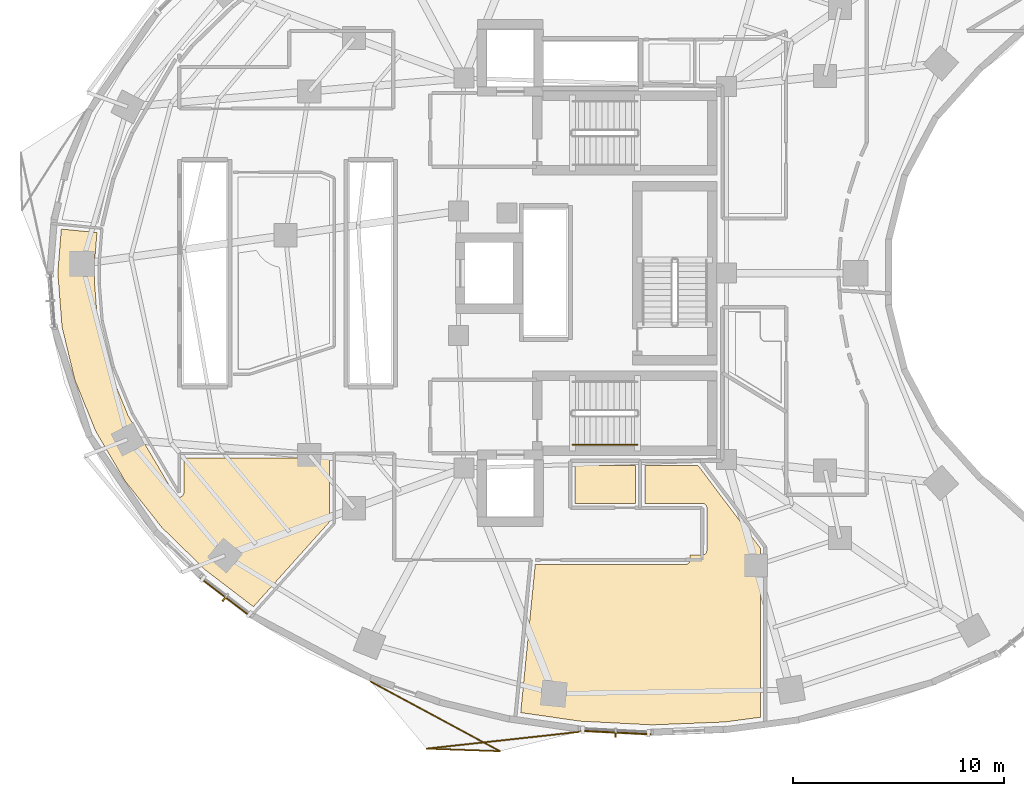
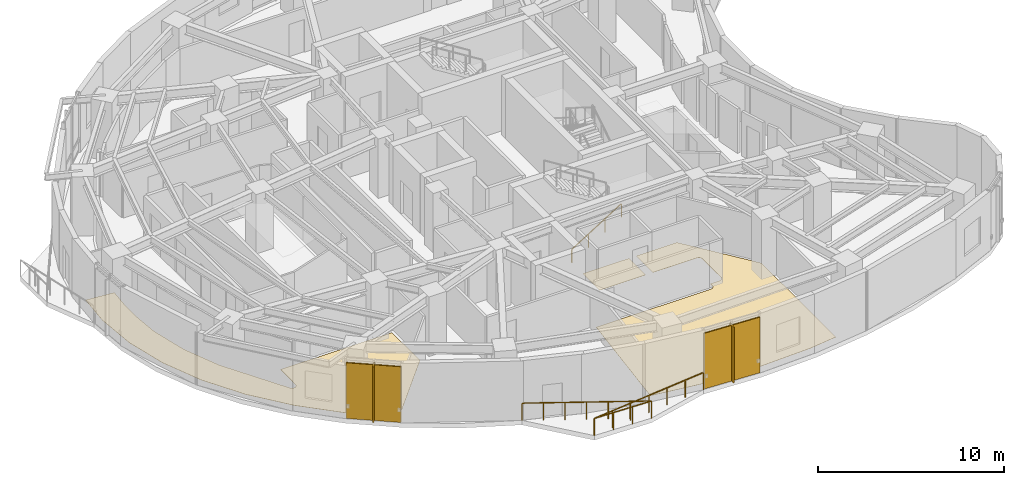
# One storey, part 13 of 15: 4 shading devices, 3 coverings, 2 railings.
"""IFC4 building model written with IfcOpenShell, lengths in metres."""

import ifcopenshell
import ifcopenshell.guid

model = None  # the IFC model being written
_history = None  # IfcOwnerHistory: only IFC2X3 demands one
_inside = {}  # id of a spatial element -> (the spatial element, [elements in it])
_under = {}  # id of a project, library or spatial element -> (it, [spatial elements below it])
_declared = {}  # id of a project -> (the project, [libraries it declares])
_typed = {}  # id of a type object -> (the type object, [elements of that type])
_made_of = {}  # id of a material, layer set ... -> (it, [elements and type objects made of it])


def new_model(schema):
    """Start an empty IFC model of exactly this schema.

    Asked for "IFC4X3", IfcOpenShell would pick the latest addendum, in which some entities
    have other attributes; the version numbers below select the first issue.
    IFC2X3 requires an IfcOwnerHistory on every rooted entity: one is made here for all.
    """
    global model, _history
    if schema == "IFC4X3":
        model = ifcopenshell.file(schema_version=(4, 3, 0, 0))
    else:
        model = ifcopenshell.file(schema=schema)
    _inside.clear()
    _under.clear()
    _declared.clear()
    _typed.clear()
    _made_of.clear()
    _history = None
    if model.schema == "IFC2X3":
        org = make("IfcOrganization", Name="unknown")
        user = make(
            "IfcPersonAndOrganization",
            ThePerson=make("IfcPerson", FamilyName="unknown"),
            TheOrganization=org,
        )
        app = make(
            "IfcApplication",
            ApplicationDeveloper=org,
            Version="unknown",
            ApplicationFullName="unknown",
            ApplicationIdentifier="unknown",
        )
        _history = make(
            "IfcOwnerHistory",
            OwningUser=user,
            OwningApplication=app,
            ChangeAction="ADDED",
            CreationDate=0,
        )
    return model


def make(cls, **values):
    """One entity of the class cls with the attributes given. An attribute that is None is left unset."""
    return model.create_entity(
        cls, **{name: value for name, value in values.items() if value is not None}
    )


def rooted(cls, **values):
    """An entity with a GlobalId (a new one), such as an element, a storey or a relation."""
    return make(cls, GlobalId=ifcopenshell.guid.new(), OwnerHistory=_history, **values)


def si_unit(unit_type, name, prefix=None):
    """IfcSIUnit, for example si_unit("LENGTHUNIT", "METRE", prefix="MILLI")."""
    return make("IfcSIUnit", UnitType=unit_type, Prefix=prefix, Name=name)


def assignment(units):
    """IfcUnitAssignment: the units of a project."""
    return None if units is None else make("IfcUnitAssignment", Units=units)


def point(xyz):
    """IfcCartesianPoint."""
    return None if xyz is None else make("IfcCartesianPoint", Coordinates=xyz)


def direction(xyz):
    """IfcDirection."""
    return None if xyz is None else make("IfcDirection", DirectionRatios=xyz)


def frame(location, z_axis=None, x_axis=None):
    """IfcAxis2Placement3D, a coordinate frame: its origin and axes. An axis left out is left unset."""
    return make(
        "IfcAxis2Placement3D",
        Location=point(location),
        Axis=direction(z_axis),
        RefDirection=direction(x_axis),
    )


def frame_2d(location, x_axis=None):
    """IfcAxis2Placement2D, a coordinate frame in the plane: its origin and x axis."""
    return make(
        "IfcAxis2Placement2D", Location=point(location), RefDirection=direction(x_axis)
    )


def origin():
    """The frame at (0, 0, 0) with its axes left unset."""
    return frame((0.0, 0.0, 0.0))


def origin_2d():
    """The frame at (0, 0) in the plane with its x axis left unset."""
    return frame_2d((0.0, 0.0))


def place(relative_to, where):
    """IfcLocalPlacement: puts the frame where relative to a parent placement (None: the world)."""
    return make(
        "IfcLocalPlacement", PlacementRelTo=relative_to, RelativePlacement=where
    )


def context(
    kind, dimensions, precision=None, world=None, true_north=None, identifier=None
):
    """IfcGeometricRepresentationContext, for example the 3D "Model" context."""
    return make(
        "IfcGeometricRepresentationContext",
        ContextIdentifier=identifier,
        ContextType=kind,
        CoordinateSpaceDimension=dimensions,
        Precision=precision,
        WorldCoordinateSystem=world,
        TrueNorth=true_north,
    )


def subcontext(parent, identifier, kind, view, scale=None):
    """IfcGeometricRepresentationSubContext, for example "Body" below "Model"."""
    return make(
        "IfcGeometricRepresentationSubContext",
        ContextIdentifier=identifier,
        ContextType=kind,
        ParentContext=parent,
        TargetScale=scale,
        TargetView=view,
    )


def project(units=None, contexts=None):
    """IfcProject with its units and contexts."""
    return rooted(
        "IfcProject",
        Name="project",
        RepresentationContexts=contexts,
        UnitsInContext=assignment(units),
    )


def spatial(cls, under=None, at=None, **own):
    """A site, building, storey or space (cls), placed at a placement, below another one or the project."""
    s = rooted(cls, ObjectPlacement=at, **own)
    if under is not None:
        _under.setdefault(under.id(), (under, []))[1].append(s)
    return s


def polyline(points):
    """IfcPolyline through the points."""
    return make("IfcPolyline", Points=[point(p) for p in points])


def profile(cls, at=None, kind="AREA", **sizes):
    """A parametric profile (cls). Its sizes go by their IFC names, for example OverallWidth=200.0."""
    return make(cls, ProfileType=kind, Position=at, **sizes)


def rectangle(**sizes):
    """IfcRectangleProfileDef."""
    return profile("IfcRectangleProfileDef", **sizes)


def outline(outer, holes=None, kind="AREA"):
    """IfcArbitraryClosedProfileDef: a profile drawn as a closed curve; with holes, ...WithVoids."""
    if holes is None:
        return make("IfcArbitraryClosedProfileDef", ProfileType=kind, OuterCurve=outer)
    return make(
        "IfcArbitraryProfileDefWithVoids",
        ProfileType=kind,
        OuterCurve=outer,
        InnerCurves=holes,
    )


def extrude(swept, where, along, depth):
    """IfcExtrudedAreaSolid: the profile swept, set in the frame where, extruded along a direction by depth."""
    return make(
        "IfcExtrudedAreaSolid",
        SweptArea=swept,
        Position=where,
        ExtrudedDirection=direction(along),
        Depth=depth,
    )


def shape(context_of_items, identifier, shape_type, items):
    """IfcShapeRepresentation: the items that make up one representation, for example the "Body"."""
    return make(
        "IfcShapeRepresentation",
        ContextOfItems=context_of_items,
        RepresentationIdentifier=identifier,
        RepresentationType=shape_type,
        Items=items,
    )


def material(Name=None, Category=None):
    """IfcMaterial."""
    return make("IfcMaterial", Name=Name, Category=Category)


def layer(
    of_material, thickness, ventilated=None, Name=None, Category=None, Priority=None
):
    """IfcMaterialLayer: one layer of a wall or slab, of a material (None: an air gap)."""
    return make(
        "IfcMaterialLayer",
        Material=of_material,
        LayerThickness=thickness,
        IsVentilated=ventilated,
        Name=Name,
        Category=Category,
        Priority=Priority,
    )


def layer_set(layers, Name=None):
    """IfcMaterialLayerSet."""
    return make("IfcMaterialLayerSet", MaterialLayers=layers, LayerSetName=Name)


def made_of(thing, what):
    """Note that an element or type object is made of a material, layer set ...; save() writes the relation."""
    if what is not None:
        _made_of.setdefault(what.id(), (what, []))[1].append(thing)
    return thing


def type_object(cls, material=None, **own):
    """A type object (cls), such as IfcWallType, which elements share."""
    return made_of(rooted(cls, **own), material)


def element(
    cls,
    number,
    at=None,
    inside=None,
    cuts=None,
    type_object=None,
    material=None,
    context=None,
    identifier="Body",
    shape_type=None,
    held_by="IfcProductDefinitionShape",
    body=None,
    shapes=None,
    **own,
):
    """One element of the class cls, such as IfcWall. Its Tag is "e" and its number.

    at: its placement. inside: the storey or other place that contains it. cuts: it is an
    opening in that element (IfcRelVoidsElement). A single representation is given by context,
    identifier, shape_type and body (its items); several are given by shapes. held_by: the class
    of the entity that holds the representations. save() writes the other relations.
    """
    e = rooted(cls, Tag="e%d" % number, ObjectPlacement=at, **own)
    if body is not None:
        shapes = [shape(context, identifier, shape_type, body)]
    if shapes is not None:
        e.Representation = make(held_by, Representations=shapes)
    if inside is not None:
        _inside.setdefault(inside.id(), (inside, []))[1].append(e)
    if cuts is not None:
        rooted(
            "IfcRelVoidsElement", RelatingBuildingElement=cuts, RelatedOpeningElement=e
        )
    if type_object is not None:
        _typed.setdefault(type_object.id(), (type_object, []))[1].append(e)
    return made_of(e, material)


def aggregate(whole, parts):
    """IfcRelAggregates: a whole, such as a stair, and the parts it consists of."""
    return rooted("IfcRelAggregates", RelatingObject=whole, RelatedObjects=parts)


def save(model, path):
    """Write the relations noted so far, then the file.

    IfcRelAggregates (storeys below a building ...), IfcRelContainedInSpatialStructure (elements
    in a storey), IfcRelDefinesByType, IfcRelAssociatesMaterial and IfcRelDeclares: one each for
    every whole, place, type object, material and project.
    """
    for whole, parts in _under.values():
        aggregate(whole, parts)
    for where, things in _inside.values():
        rooted(
            "IfcRelContainedInSpatialStructure",
            RelatedElements=things,
            RelatingStructure=where,
        )
    for kind, things in _typed.values():
        rooted("IfcRelDefinesByType", RelatedObjects=things, RelatingType=kind)
    for what, things in _made_of.values():
        rooted("IfcRelAssociatesMaterial", RelatedObjects=things, RelatingMaterial=what)
    for by, libraries in _declared.values():
        rooted("IfcRelDeclares", RelatingContext=by, RelatedDefinitions=libraries)
    model.write(path)


model = new_model("IFC4")

# Units and contexts
model_context = context("Model", 3, precision=1e-05, world=origin(), true_north=direction((0.0, 1.0)))
body_context = subcontext(model_context, "Body", "Model", "MODEL_VIEW")
ifc_project = project(units=[si_unit("LENGTHUNIT", "METRE"), si_unit("AREAUNIT", "SQUARE_METRE"), si_unit("VOLUMEUNIT", "CUBIC_METRE"), si_unit("PLANEANGLEUNIT", "RADIAN"), si_unit("MASSUNIT", "GRAM", prefix="KILO")], contexts=[model_context])

# Site, building, storey
site_placement = place(None, origin())
site = spatial("IfcSite", under=ifc_project, at=site_placement, CompositionType="ELEMENT")
building_placement = place(site_placement, origin())
building = spatial("IfcBuilding", under=site, at=building_placement, Name="Korentha Bioscience Tower", CompositionType="ELEMENT")
storey_placement = place(building_placement, frame((0.0, 0.0, 94.199951171875)))
storey = spatial("IfcBuildingStorey", under=building, at=storey_placement, Name="L21", CompositionType="ELEMENT", Elevation=94.199951171875)

# Railings
ifc_material_1 = material(Name="Stainless Steel 304", Category="steel")
railing_type_1 = type_object("IfcRailingType", Name="Brushed Stainless Stair Handrail 900", PredefinedType="HANDRAIL", material=ifc_material_1)
railing_1_placement = place(storey_placement, frame((30.25, 18.85009765625, 0.175048828125)))
element("IfcRailing", 1, at=railing_1_placement, inside=storey, type_object=railing_type_1, Name="L21 ST-2 stair handrail 1", PredefinedType="HANDRAIL", context=body_context, shape_type="SweptSolid", body=[
    extrude(rectangle(XDim=0.048095703125, YDim=0.048095703125, at=origin_2d()), frame((0.0, 0.0, 0.8759765625), z_axis=(0.847998304005, 0.0, 0.529998940003), x_axis=(0.0, 1.0, 0.0)), (0.0, 0.0, 1.0), 3.632080078125),
    extrude(rectangle(XDim=0.0419921875, YDim=0.0419921875, at=origin_2d()), origin(), (0.0, 0.0, 1.0), 0.851806640625),
    extrude(rectangle(XDim=0.0419921875, YDim=0.0419921875, at=origin_2d()), frame((1.026611328125, 0.0, 0.6416015625)), (0.0, 0.0, 1.0), 0.851806640625),
    extrude(rectangle(XDim=0.0419921875, YDim=0.0419921875, at=origin_2d()), frame((2.053466796875, 0.0, 1.283447265625)), (0.0, 0.0, 1.0), 0.851806640625),
    extrude(rectangle(XDim=0.0419921875, YDim=0.0419921875, at=origin_2d()), frame((3.080078125, 0.0, 1.925048828125)), (0.0, 0.0, 1.0), 0.851806640625),
])
ifc_material_2 = material(Name="Laminated Tempered Safety Glass", Category="glass")
railing_type_2 = type_object("IfcRailingType", Name="Laminated Glass Balcony Guardrail 1150", PredefinedType="BALUSTRADE", material=ifc_material_2)
railing_2_placement = place(storey_placement, frame((20.66650390625, 7.62109375, 0.0)))
element("IfcRailing", 2, at=railing_2_placement, inside=storey, type_object=railing_type_2, Name="L21 Balcony Guardrail 03", PredefinedType="BALUSTRADE", context=body_context, shape_type="SweptSolid", body=[
    extrude(rectangle(XDim=0.048095703125, YDim=0.048095703125, at=origin_2d()), frame((0.0, 0.0, 1.1259765625), z_axis=(0.880340587616, -0.474342123151, 0.0), x_axis=(0.474342123151, 0.880340587616, 0.0)), (0.0, 0.0, 1.0), 6.969482421875),
    extrude(rectangle(XDim=0.048095703125, YDim=0.048095703125, at=origin_2d()), frame((6.135498046875, -3.305908203125, 1.1259765625), z_axis=(-0.999404081372, 0.034517852442, 0.0), x_axis=(-0.034517852442, -0.999404081372, 0.0)), (0.0, 0.0, 1.0), 3.479736328125),
    extrude(rectangle(XDim=0.048095703125, YDim=0.048095703125, at=origin_2d()), frame((2.65771484375, -3.185791015625, 1.1259765625), z_axis=(0.993998557505, 0.109393179306, 0.0), x_axis=(-0.109393179306, 0.993998557505, 0.0)), (0.0, 0.0, 1.0), 7.27783203125),
    extrude(rectangle(XDim=0.0419921875, YDim=0.0419921875, at=origin_2d()), origin(), (0.0, 0.0, 1.0), 1.101806640625),
    extrude(rectangle(XDim=0.0419921875, YDim=0.0419921875, at=origin_2d()), frame((1.0224609375, -0.551025390625, 0.0)), (0.0, 0.0, 1.0), 1.101806640625),
    extrude(rectangle(XDim=0.0419921875, YDim=0.0419921875, at=origin_2d()), frame((2.045166015625, -1.10205078125, 0.0)), (0.0, 0.0, 1.0), 1.101806640625),
    extrude(rectangle(XDim=0.0419921875, YDim=0.0419921875, at=origin_2d()), frame((3.06787109375, -1.65283203125, 0.0)), (0.0, 0.0, 1.0), 1.101806640625),
    extrude(rectangle(XDim=0.0419921875, YDim=0.0419921875, at=origin_2d()), frame((4.09033203125, -2.203857421875, 0.0)), (0.0, 0.0, 1.0), 1.101806640625),
    extrude(rectangle(XDim=0.0419921875, YDim=0.0419921875, at=origin_2d()), frame((5.11279296875, -2.7548828125, 0.0)), (0.0, 0.0, 1.0), 1.101806640625),
    extrude(rectangle(XDim=0.0419921875, YDim=0.0419921875, at=origin_2d()), frame((6.135498046875, -3.305908203125, 0.0)), (0.0, 0.0, 1.0), 1.101806640625),
    extrude(rectangle(XDim=0.0419921875, YDim=0.0419921875, at=origin_2d()), frame((4.976318359375, -3.265869140625, 0.0)), (0.0, 0.0, 1.0), 1.101806640625),
    extrude(rectangle(XDim=0.0419921875, YDim=0.0419921875, at=origin_2d()), frame((3.81689453125, -3.225830078125, 0.0)), (0.0, 0.0, 1.0), 1.101806640625),
    extrude(rectangle(XDim=0.0419921875, YDim=0.0419921875, at=origin_2d()), frame((2.65771484375, -3.185791015625, 0.0)), (0.0, 0.0, 1.0), 1.101806640625),
    extrude(rectangle(XDim=0.0419921875, YDim=0.0419921875, at=origin_2d()), frame((3.86328125, -3.05322265625, 0.0)), (0.0, 0.0, 1.0), 1.101806640625),
    extrude(rectangle(XDim=0.0419921875, YDim=0.0419921875, at=origin_2d()), frame((5.069091796875, -2.92041015625, 0.0)), (0.0, 0.0, 1.0), 1.101806640625),
    extrude(rectangle(XDim=0.0419921875, YDim=0.0419921875, at=origin_2d()), frame((6.27490234375, -2.78759765625, 0.0)), (0.0, 0.0, 1.0), 1.101806640625),
    extrude(rectangle(XDim=0.0419921875, YDim=0.0419921875, at=origin_2d()), frame((7.48046875, -2.655029296875, 0.0)), (0.0, 0.0, 1.0), 1.101806640625),
    extrude(rectangle(XDim=0.0419921875, YDim=0.0419921875, at=origin_2d()), frame((8.68603515625, -2.5224609375, 0.0)), (0.0, 0.0, 1.0), 1.101806640625),
    extrude(rectangle(XDim=0.0419921875, YDim=0.0419921875, at=origin_2d()), frame((9.891845703125, -2.3896484375, 0.0)), (0.0, 0.0, 1.0), 1.101806640625),
])

# Shading devices
ifc_material_3 = material(Name="Perforated Stone-Ceramic Composite", Category="masonry")
ifc_layer_1 = layer(ifc_material_3, 0.06494140625, Name="Perforated Stone-Ceramic Composite")
ifc_layer_set_1 = layer_set([ifc_layer_1], Name="Perforated Stone-Ceramic Composite (CS-01)")
shading_device_type_1 = type_object("IfcShadingDeviceType", Name="Perforated Stone-Ceramic Solar Screen Panel 65", PredefinedType="USERDEFINED", material=ifc_layer_set_1)
shading_device_1_placement = place(storey_placement, frame((13.7841796875, 11.616455078125, 0.0), z_axis=(0.0, 0.0, 1.0), x_axis=(0.794499603893, -0.607264669986, 0.0)))
element("IfcShadingDevice", 3, at=shading_device_1_placement, inside=storey, type_object=shading_device_type_1, Name="CW-L21-25 Perforated Stone-Ceramic Solar Screen", ObjectType="SCREEN", PredefinedType="USERDEFINED", context=body_context, shape_type="SweptSolid", body=[
    extrude(rectangle(XDim=2.98291015625, YDim=0.06494140625, at=origin_2d()), origin(), (0.0, 0.0, 1.0), 3.64990234375),
])
shading_device_2_placement = place(storey_placement, frame((32.2958984375, 5.201904296875, 0.0), z_axis=(0.0, 0.0, 1.0), x_axis=(0.998673231344, -0.051495407527, 0.0)))
element("IfcShadingDevice", 4, at=shading_device_2_placement, inside=storey, type_object=shading_device_type_1, Name="CW-L21-31 Perforated Stone-Ceramic Solar Screen", ObjectType="SCREEN", PredefinedType="USERDEFINED", context=body_context, shape_type="SweptSolid", body=[
    extrude(rectangle(XDim=3.373779296875, YDim=0.06494140625, at=origin_2d()), origin(), (0.0, 0.0, 1.0), 3.64990234375),
])

# Coverings
ifc_material_4 = material(Name="Chemical-Resistant Epoxy Resin", Category="polymer")
ifc_layer_2 = layer(ifc_material_4, 0.011962890625, Name="Chemical-Resistant Epoxy Resin")
ifc_layer_set_2 = layer_set([ifc_layer_2], Name="Chemical-Resistant Epoxy Resin (FL-EPX)")
covering_type = type_object("IfcCoveringType", Name="Seamless Epoxy Laboratory Flooring 12", PredefinedType="FLOORING", material=ifc_layer_set_2)
covering_1_placement = place(storey_placement, origin())
element("IfcCovering", 5, at=covering_1_placement, inside=storey, type_object=covering_type, Name="L21 Core Instrumentation and Gas Store Floor Finish", PredefinedType="FLOORING", context=body_context, shape_type="SweptSolid", body=[
    extrude(outline(polyline([(30.3701171875, 16.080078125), (30.3701171875, 17.8701171875), (33.22998046875, 17.8701171875), (33.22998046875, 16.080078125), (30.3701171875, 16.080078125)])), origin(), (0.0, 0.0, 1.0), 0.011962890625),
])
covering_2_placement = place(storey_placement, origin())
element("IfcCovering", 6, at=covering_2_placement, inside=storey, type_object=covering_type, Name="L21 Principal Investigator Office 01 Floor Finish", PredefinedType="FLOORING", context=body_context, shape_type="SweptSolid", body=[
    extrude(outline(polyline([(5.99169921875, 29.09228515625), (7.683837890625, 28.926513671875), (7.5703125, 27.492431640625), (7.570068359375, 26.51708984375), (7.710693359375, 24.7333984375), (8.254150390625, 22.46142578125), (9.162109375, 20.23828125), (11.3818359375, 16.47509765625), (11.431396484375, 16.416259765625), (11.531005859375, 16.3671875), (11.6611328125, 16.376708984375), (11.75244140625, 16.43994140625), (11.803466796875, 16.53759765625), (11.81005859375, 18.219970703125), (18.72802734375, 18.219970703125), (18.72802734375, 15.206787109375), (15.107421875, 11.17138671875), (12.857177734375, 12.89111328125), (10.76708984375, 14.928466796875), (9.01806640625, 17.135986328125), (7.63427734375, 19.48095703125), (6.63330078125, 21.9296875), (6.028076171875, 24.44775390625), (5.82568359375, 27.0), (5.99169921875, 29.09228515625)])), origin(), (0.0, 0.0, 1.0), 0.011962890625),
])
covering_3_placement = place(storey_placement, origin())
element("IfcCovering", 7, at=covering_3_placement, inside=storey, type_object=covering_type, Name="L21 Staff Pantry Kitchenette 03 Floor Finish", PredefinedType="FLOORING", context=body_context, shape_type="SweptSolid", body=[
    extrude(outline(polyline([(28.480712890625, 13.169921875), (35.61181640625, 13.17041015625), (35.71875, 13.202880859375), (35.8076171875, 13.30126953125), (35.82958984375, 13.38818359375), (35.830078125, 13.6201171875), (36.410888671875, 13.620361328125), (36.518798828125, 13.653076171875), (36.597412109375, 13.732177734375), (36.6298828125, 13.85009765625), (36.629638671875, 15.86083984375), (36.608154296875, 15.947998046875), (36.55419921875, 16.020751953125), (36.477783203125, 16.06640625), (36.39990234375, 16.080078125), (33.679931640625, 16.080078125), (33.679931640625, 17.8701171875), (36.209716796875, 17.8701171875), (39.177978515625, 13.930908203125), (39.177978515625, 5.927001953125), (37.456298828125, 5.699462890625), (34.030517578125, 5.563232421875), (30.60791015625, 5.739501953125), (27.7919921875, 6.146240234375), (28.480712890625, 13.169921875)])), origin(), (0.0, 0.0, 1.0), 0.011962890625),
])

# Shading devices
ifc_material_5 = material(Name="Honed Travertine Limestone", Category="masonry")
ifc_layer_3 = layer(ifc_material_5, 0.080078125, Name="Honed Travertine Limestone")
ifc_layer_set_3 = layer_set([ifc_layer_3], Name="Honed Travertine Limestone (CS-02)")
shading_device_type_2 = type_object("IfcShadingDeviceType", Name="Vertical Honed Limestone Sunshade Fin 80x420", PredefinedType="USERDEFINED", material=ifc_layer_set_3)
for number, where, z_axis, x_axis, name in (
    (8, (13.77197265625, 11.600341796875, 0.0), (0.0, 0.0, 1.0), (0.794499603893, -0.607264669986, 0.0), "CW-L21-25 Limestone Sunshade Fin"),
    (9, (32.294921875, 5.18212890625, 0.0), (0.0, 0.0, 1.0), (0.998673231344, -0.051495407527, 0.0), "CW-L21-31 Limestone Sunshade Fin"),
):
    element("IfcShadingDevice", number, at=place(storey_placement, frame(where, z_axis=z_axis, x_axis=x_axis)), inside=storey, type_object=shading_device_type_2, Name=name, ObjectType="SCREEN", PredefinedType="USERDEFINED", context=body_context, shape_type="SweptSolid", body=[
        extrude(rectangle(XDim=0.080078125, YDim=0.419921875, at=origin_2d()), origin(), (0.0, 0.0, 1.0), 3.64990234375),
    ])

save(model, "model.ifc")
